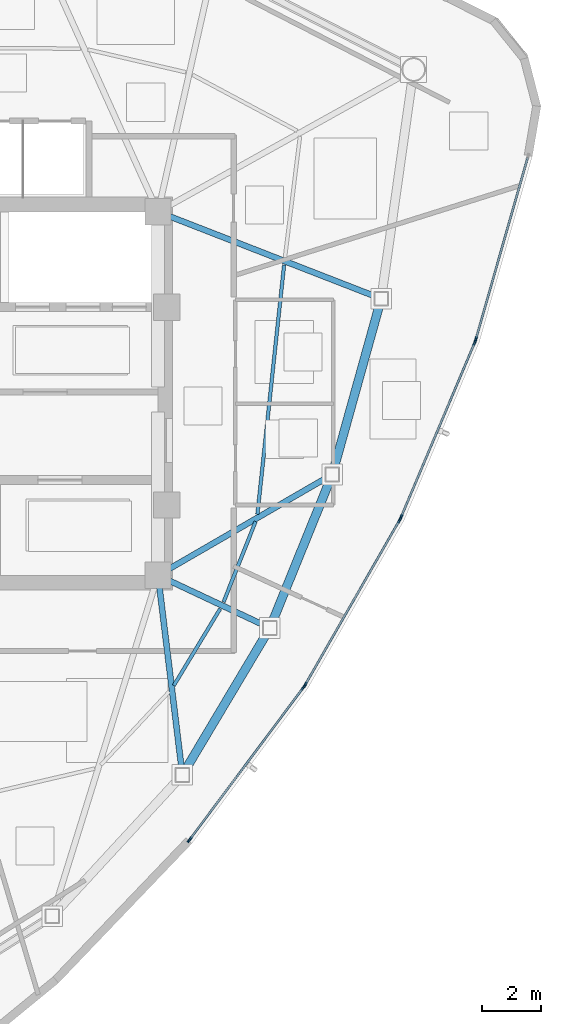
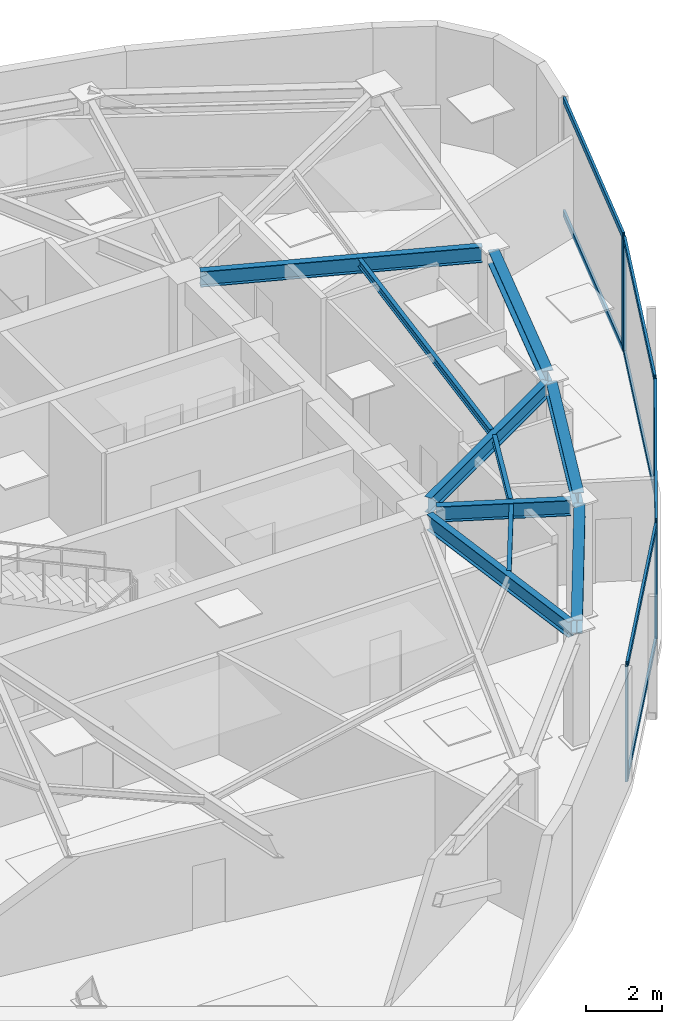
# One storey, part 4 of 12: 15 members, 10 beams, 4 elements without a shape of their own.
"""IFC4 building model written with IfcOpenShell, lengths in metres."""

from ifc_helpers import new_model, si_unit, direction, frame, origin, origin_2d, place, context, subcontext, project, spatial, hollow_rectangle, i_section, extrude, source, transform, mapped, material, layer, layer_set, material_profile, profile_set, type_object, type_shapes, element, aggregate, save


model = new_model("IFC4")

# Units and contexts
model_context = context("Model", 3, precision=1e-05, world=origin(), true_north=direction((0.0, 1.0)))
body_context = subcontext(model_context, "Body", "Model", "MODEL_VIEW")
ifc_project = project(units=[si_unit("LENGTHUNIT", "METRE"), si_unit("AREAUNIT", "SQUARE_METRE"), si_unit("VOLUMEUNIT", "CUBIC_METRE"), si_unit("PLANEANGLEUNIT", "RADIAN"), si_unit("MASSUNIT", "GRAM", prefix="KILO")], contexts=[model_context])

# Site, building, storey
site_placement = place(None, origin())
site = spatial("IfcSite", under=ifc_project, at=site_placement, CompositionType="ELEMENT")
building_placement = place(site_placement, origin())
building = spatial("IfcBuilding", under=site, at=building_placement, Name="Tavelor Broadcast Tower", CompositionType="ELEMENT")
storey_placement = place(building_placement, frame((0.0, 0.0, 281.5)))
storey = spatial("IfcBuildingStorey", under=building, at=storey_placement, Name="L67", CompositionType="ELEMENT", Elevation=281.5)

# Beams
ifc_material_1 = material(Name="Steel S355", Category="steel")
ifc_material_profile_1 = material_profile(ifc_material_1, i_section(OverallWidth=0.1201171875, OverallDepth=0.239990234375, WebThickness=0.006103515625, FlangeThickness=0.009765625, at=origin_2d()), Name="IPE 240")
ifc_profile_set_1 = profile_set([ifc_material_profile_1], Name="Steel S355")
beam_type_1 = type_object("IfcBeamType", Name="Composite Floor Joist T7 IPE 240", PredefinedType="JOIST", material=ifc_profile_set_1)
beam_1_placement = place(storey_placement, frame((57.13916015625, 35.042724609375, 3.580078125), z_axis=(0.517298358592, 0.855805122793, 0.0), x_axis=(-0.855805122793, 0.517298358592, 0.0)))
element("IfcBeam", 1, at=beam_1_placement, inside=storey, type_object=beam_type_1, Name="L67 Secondary Composite Floor Joist 09", PredefinedType="JOIST", context=body_context, shape_type="SweptSolid", body=[
    extrude(i_section(OverallWidth=0.1201171875, OverallDepth=0.239990234375, WebThickness=0.006103515625, FlangeThickness=0.009765625, at=origin_2d()), origin(), (0.0, 0.0, 1.0), 3.058837890625),
])
beam_2_placement = place(storey_placement, frame((58.8359375, 37.890625, 3.580078125), z_axis=(0.370036486067, 0.929017222111, 0.0), x_axis=(-0.929017222111, 0.370036486067, 0.0)))
element("IfcBeam", 2, at=beam_2_placement, inside=storey, type_object=beam_type_1, Name="L67 Secondary Composite Floor Joist 10", PredefinedType="JOIST", context=body_context, shape_type="SweptSolid", body=[
    extrude(i_section(OverallWidth=0.1201171875, OverallDepth=0.239990234375, WebThickness=0.006103515625, FlangeThickness=0.009765625, at=origin_2d()), origin(), (0.0, 0.0, 1.0), 2.953857421875),
])
beam_3_placement = place(storey_placement, frame((59.990478515625, 40.8828125, 3.580078125), z_axis=(0.106517007909, 0.994310880473, 0.0), x_axis=(-0.994310880473, 0.106517007909, 0.0)))
element("IfcBeam", 3, at=beam_3_placement, inside=storey, type_object=beam_type_1, Name="L67 Secondary Composite Floor Joist 11", PredefinedType="JOIST", context=body_context, shape_type="SweptSolid", body=[
    extrude(i_section(OverallWidth=0.1201171875, OverallDepth=0.239990234375, WebThickness=0.006103515625, FlangeThickness=0.009765625, at=origin_2d()), origin(), (0.0, 0.0, 1.0), 8.558349609375),
])
ifc_material_profile_2 = material_profile(ifc_material_1, i_section(OverallWidth=0.300048828125, OverallDepth=0.43994140625, WebThickness=0.011474609375, FlangeThickness=0.02099609375, at=origin_2d()), Name="HEA 450")
ifc_profile_set_2 = profile_set([ifc_material_profile_2], Name="Steel S355")
beam_type_2 = type_object("IfcBeamType", Name="Perimeter Spandrel Beam T7 HEA 450", PredefinedType="SPANDREL", material=ifc_profile_set_2)
beam_4_placement = place(storey_placement, frame((57.55419921875, 32.1982421875, 3.47998046875), z_axis=(0.511838109634, 0.859081922477, 0.0), x_axis=(-0.859081922477, 0.511838109634, 0.0)))
element("IfcBeam", 4, at=beam_4_placement, inside=storey, type_object=beam_type_2, Name="L67 Framed-Tube Ring Spandrel 09", PredefinedType="SPANDREL", context=body_context, shape_type="SweptSolid", body=[
    extrude(i_section(OverallWidth=0.300048828125, OverallDepth=0.43994140625, WebThickness=0.011474609375, FlangeThickness=0.02099609375, at=origin_2d()), origin(), (0.0, 0.0, 1.0), 5.354736328125),
])
beam_5_placement = place(storey_placement, frame((60.5078125, 37.226806640625, 3.47998046875), z_axis=(0.376269405566, 0.926510299152, 0.0), x_axis=(-0.926510299152, 0.376269405566, 0.0)))
element("IfcBeam", 5, at=beam_5_placement, inside=storey, type_object=beam_type_2, Name="L67 Framed-Tube Ring Spandrel 10", PredefinedType="SPANDREL", context=body_context, shape_type="SweptSolid", body=[
    extrude(i_section(OverallWidth=0.300048828125, OverallDepth=0.43994140625, WebThickness=0.011474609375, FlangeThickness=0.02099609375, at=origin_2d()), origin(), (0.0, 0.0, 1.0), 5.17138671875),
])
beam_6_placement = place(storey_placement, frame((62.608154296875, 42.4716796875, 3.47998046875), z_axis=(0.268356099851, 0.963319782664, 0.0), x_axis=(-0.963319782664, 0.268356099851, 0.0)))
element("IfcBeam", 6, at=beam_6_placement, inside=storey, type_object=beam_type_2, Name="L67 Framed-Tube Ring Spandrel 11", PredefinedType="SPANDREL", context=body_context, shape_type="SweptSolid", body=[
    extrude(i_section(OverallWidth=0.300048828125, OverallDepth=0.43994140625, WebThickness=0.011474609375, FlangeThickness=0.02099609375, at=origin_2d()), origin(), (0.0, 0.0, 1.0), 5.7451171875),
])
ifc_material_profile_3 = material_profile(ifc_material_1, i_section(OverallWidth=0.199951171875, OverallDepth=0.5, WebThickness=0.01025390625, FlangeThickness=0.01611328125, at=origin_2d()), Name="IPE 500")
ifc_profile_set_3 = profile_set([ifc_material_profile_3], Name="Steel S355")
beam_type_3 = type_object("IfcBeamType", Name="Radial Floor Girder T7 IPE 500", PredefinedType="BEAM", material=ifc_profile_set_3)
beam_7_placement = place(storey_placement, frame((56.65234375, 38.37109375, 3.449951171875), z_axis=(0.121231727596, -0.992624233144, 0.0), x_axis=(0.992624233144, 0.121231727596, 0.0)))
element("IfcBeam", 7, at=beam_7_placement, inside=storey, type_object=beam_type_3, Name="L67 Radial Primary Floor Girder 09", PredefinedType="BEAM", context=body_context, shape_type="SweptSolid", body=[
    extrude(i_section(OverallWidth=0.199951171875, OverallDepth=0.5, WebThickness=0.01025390625, FlangeThickness=0.01611328125, at=origin_2d()), origin(), (0.0, 0.0, 1.0), 6.1865234375),
])
beam_8_placement = place(storey_placement, frame((56.990966796875, 38.6162109375, 3.449951171875), z_axis=(0.904907602736, -0.425608071483, 0.0), x_axis=(0.425608071483, 0.904907602736, 0.0)))
element("IfcBeam", 8, at=beam_8_placement, inside=storey, type_object=beam_type_3, Name="L67 Radial Primary Floor Girder 10", PredefinedType="BEAM", context=body_context, shape_type="SweptSolid", body=[
    extrude(i_section(OverallWidth=0.199951171875, OverallDepth=0.5, WebThickness=0.01025390625, FlangeThickness=0.01611328125, at=origin_2d()), origin(), (0.0, 0.0, 1.0), 3.546630859375),
])
beam_9_placement = place(storey_placement, frame((56.973876953125, 39.016357421875, 3.449951171875), z_axis=(0.865460455047, 0.500977245741, 0.0), x_axis=(-0.500977245741, 0.865460455047, 0.0)))
element("IfcBeam", 9, at=beam_9_placement, inside=storey, type_object=beam_type_3, Name="L67 Radial Primary Floor Girder 11", PredefinedType="BEAM", context=body_context, shape_type="SweptSolid", body=[
    extrude(i_section(OverallWidth=0.199951171875, OverallDepth=0.5, WebThickness=0.01025390625, FlangeThickness=0.01611328125, at=origin_2d()), origin(), (0.0, 0.0, 1.0), 6.19580078125),
])
beam_10_placement = place(storey_placement, frame((57.002685546875, 51.04345703125, 3.449951171875), z_axis=(0.931940498833, -0.362611233466, 0.0), x_axis=(0.362611233466, 0.931940498833, 0.0)))
element("IfcBeam", 10, at=beam_10_placement, inside=storey, type_object=beam_type_3, Name="L67 Radial Primary Floor Girder 12", PredefinedType="BEAM", context=body_context, shape_type="SweptSolid", body=[
    extrude(i_section(OverallWidth=0.199951171875, OverallDepth=0.5, WebThickness=0.01025390625, FlangeThickness=0.01611328125, at=origin_2d()), origin(), (0.0, 0.0, 1.0), 7.498291015625),
])

# Curtain wall, members
ifc_material_2 = material(Name="Architectural Anodized Aluminium", Category="aluminium")
ifc_layer = layer(ifc_material_2, 0.199951171875)
ifc_layer_set = layer_set([ifc_layer], Name="Architectural Anodized Aluminium")
curtain_wall_type = type_object("IfcCurtainWallType", Name="Tower High-Zone Triple-Glazed Curtain Wall CW04", PredefinedType="NOTDEFINED", material=ifc_layer_set)
curtain_wall_1_placement = place(storey_placement, origin())
curtain_wall_1 = element("IfcCurtainWall", 11, at=curtain_wall_1_placement, inside=storey, type_object=curtain_wall_type, Name="L67 Curtain Wall CW04 Run 737", PredefinedType="NOTDEFINED")
ifc_material_profile_4 = material_profile(ifc_material_2, hollow_rectangle(XDim=0.070068359375, YDim=0.199951171875, WallThickness=0.02197265625, at=origin_2d()), Name="RHS 70x200x22")
ifc_profile_set_4 = profile_set([ifc_material_profile_4], Name="Architectural Anodized Aluminium")
member_type_1 = type_object("IfcMemberType", Name="CW04 Extruded Aluminium Mullion 70x200", PredefinedType="MULLION", material=ifc_profile_set_4)
shared_shape_1 = source(origin(), body_context, "Body", "SweptSolid", [
    extrude(hollow_rectangle(XDim=0.070068359375, YDim=0.199951171875, WallThickness=0.02197265625, at=origin_2d()), origin(), (0.0, 0.0, 1.0), 3.699951171875),
])
type_shapes(member_type_1, [shared_shape_1])
member_1_placement = place(storey_placement, frame((57.673828125, 29.77587890625, 0.0), z_axis=(0.0, 0.0, 1.0), x_axis=(-0.800998443834, 0.598666428803, 0.0)))
member_1 = element("IfcMember", 12, at=member_1_placement, type_object=member_type_1, Name="CW04 mullion 1", PredefinedType="MULLION", context=body_context, shape_type="MappedRepresentation", body=[
    mapped(shared_shape_1, transform((0.0, 0.0, 0.0), scale=1.0)),
])
member_2_placement = place(storey_placement, frame((61.563232421875, 34.97998046875, 0.0), z_axis=(0.0, 0.0, 1.0), x_axis=(-0.800998443834, 0.598666428803, 0.0)))
member_2 = element("IfcMember", 13, at=member_2_placement, type_object=member_type_1, Name="CW04 mullion 2", PredefinedType="MULLION", context=body_context, shape_type="MappedRepresentation", body=[
    mapped(shared_shape_1, transform((0.0, 0.0, 0.0), scale=1.0)),
])

curtain_wall_2_placement = place(storey_placement, origin())
curtain_wall_2 = element("IfcCurtainWall", 14, at=curtain_wall_2_placement, inside=storey, type_object=curtain_wall_type, Name="L67 Curtain Wall CW04 Run 738", PredefinedType="NOTDEFINED")
member_3_placement = place(storey_placement, frame((61.6181640625, 35.063232421875, 0.0), z_axis=(0.0, 0.0, 1.0), x_axis=(-0.867542546214, 0.497362976616, 0.0)))
member_3 = element("IfcMember", 15, at=member_3_placement, type_object=member_type_1, Name="CW04 mullion 1", PredefinedType="MULLION", context=body_context, shape_type="MappedRepresentation", body=[
    mapped(shared_shape_1, transform((0.0, 0.0, 0.0), scale=1.0)),
])
member_4_placement = place(storey_placement, frame((64.842041015625, 40.6865234375, 0.0), z_axis=(0.0, 0.0, 1.0), x_axis=(-0.867542546214, 0.497362976616, 0.0)))
member_4 = element("IfcMember", 16, at=member_4_placement, type_object=member_type_1, Name="CW04 mullion 2", PredefinedType="MULLION", context=body_context, shape_type="MappedRepresentation", body=[
    mapped(shared_shape_1, transform((0.0, 0.0, 0.0), scale=1.0)),
])

curtain_wall_3_placement = place(storey_placement, origin())
curtain_wall_3 = element("IfcCurtainWall", 17, at=curtain_wall_3_placement, inside=storey, type_object=curtain_wall_type, Name="L67 Curtain Wall CW04 Run 739", PredefinedType="NOTDEFINED")
member_5_placement = place(storey_placement, frame((64.88623046875, 40.776123046875, 0.0), z_axis=(0.0, 0.0, 1.0), x_axis=(-0.921355022147, 0.38872216706, 0.0)))
member_5 = element("IfcMember", 18, at=member_5_placement, type_object=member_type_1, Name="CW04 mullion 1", PredefinedType="MULLION", context=body_context, shape_type="MappedRepresentation", body=[
    mapped(shared_shape_1, transform((0.0, 0.0, 0.0), scale=1.0)),
])
member_6_placement = place(storey_placement, frame((67.406005859375, 46.748291015625, 0.0), z_axis=(0.0, 0.0, 1.0), x_axis=(-0.921355022147, 0.38872216706, 0.0)))
member_6 = element("IfcMember", 19, at=member_6_placement, type_object=member_type_1, Name="CW04 mullion 2", PredefinedType="MULLION", context=body_context, shape_type="MappedRepresentation", body=[
    mapped(shared_shape_1, transform((0.0, 0.0, 0.0), scale=1.0)),
])

# Curtain wall, member
curtain_wall_4_placement = place(storey_placement, origin())
curtain_wall_4 = element("IfcCurtainWall", 20, at=curtain_wall_4_placement, inside=storey, type_object=curtain_wall_type, Name="L67 Curtain Wall CW04 Run 740", PredefinedType="NOTDEFINED")
member_7_placement = place(storey_placement, frame((67.43896484375, 46.842529296875, 0.0), z_axis=(0.0, 0.0, 1.0), x_axis=(-0.96163016721, 0.274349086952, 0.0)))
member_7 = element("IfcMember", 21, at=member_7_placement, type_object=member_type_1, Name="CW04 mullion 1", PredefinedType="MULLION", context=body_context, shape_type="MappedRepresentation", body=[
    mapped(shared_shape_1, transform((0.0, 0.0, 0.0), scale=1.0)),
])

# Member
ifc_material_profile_5 = material_profile(ifc_material_2, hollow_rectangle(XDim=0.070068359375, YDim=0.199951171875, WallThickness=0.02197265625, at=origin_2d()), Name="RHS 70x200x22")
ifc_profile_set_5 = profile_set([ifc_material_profile_5], Name="Architectural Anodized Aluminium")
member_type_2 = type_object("IfcMemberType", Name="CW04 Extruded Aluminium Transom 70x200", PredefinedType="USERDEFINED", material=ifc_profile_set_5)
shared_shape_2 = source(origin(), body_context, "Body", "SweptSolid", [
    extrude(hollow_rectangle(XDim=0.070068359375, YDim=0.199951171875, WallThickness=0.02197265625, at=origin_2d()), origin(), (0.0, 0.0, 1.0), 6.427001953125),
])
member_8_placement = place(storey_placement, frame((57.69482421875, 29.803955078125, 0.034912109375), z_axis=(0.598674192562, 0.80099264114, 0.0), x_axis=(-0.80099264114, 0.598674192562, 0.0)))
member_8 = element("IfcMember", 22, at=member_8_placement, type_object=member_type_2, Name="CW04 transom 1.1", ObjectType="TRANSOM", PredefinedType="USERDEFINED", context=body_context, shape_type="MappedRepresentation", body=[
    mapped(shared_shape_2, transform((0.0, 0.0, 0.0), scale=1.0)),
])

member_9_placement = place(storey_placement, frame((57.69482421875, 29.803955078125, 3.6650390625), z_axis=(0.598674192562, 0.80099264114, 0.0), x_axis=(-0.80099264114, 0.598674192562, 0.0)))
member_9 = element("IfcMember", 23, at=member_9_placement, type_object=member_type_2, Name="CW04 transom 1.2", ObjectType="TRANSOM", PredefinedType="USERDEFINED", context=body_context, shape_type="MappedRepresentation", body=[
    mapped(shared_shape_2, transform((0.0, 0.0, 0.0), scale=1.0)),
])

aggregate(curtain_wall_1, [member_1, member_2, member_8, member_9])

shared_shape_3 = source(origin(), body_context, "Body", "SweptSolid", [
    extrude(hollow_rectangle(XDim=0.070068359375, YDim=0.199951171875, WallThickness=0.02197265625, at=origin_2d()), origin(), (0.0, 0.0, 1.0), 6.411865234375),
])
member_10_placement = place(storey_placement, frame((61.635498046875, 35.09375, 0.034912109375), z_axis=(0.497360422458, 0.86754401051, 0.0), x_axis=(-0.86754401051, 0.497360422458, 0.0)))
member_10 = element("IfcMember", 24, at=member_10_placement, type_object=member_type_2, Name="CW04 transom 1.1", ObjectType="TRANSOM", PredefinedType="USERDEFINED", context=body_context, shape_type="MappedRepresentation", body=[
    mapped(shared_shape_3, transform((0.0, 0.0, 0.0), scale=1.0)),
])

member_11_placement = place(storey_placement, frame((61.635498046875, 35.09375, 3.6650390625), z_axis=(0.497360422458, 0.86754401051, 0.0), x_axis=(-0.86754401051, 0.497360422458, 0.0)))
member_11 = element("IfcMember", 25, at=member_11_placement, type_object=member_type_2, Name="CW04 transom 1.2", ObjectType="TRANSOM", PredefinedType="USERDEFINED", context=body_context, shape_type="MappedRepresentation", body=[
    mapped(shared_shape_3, transform((0.0, 0.0, 0.0), scale=1.0)),
])

aggregate(curtain_wall_2, [member_3, member_4, member_10, member_11])

member_12_placement = place(storey_placement, frame((64.89990234375, 40.808349609375, 0.034912109375), z_axis=(0.388715656751, 0.921357768837, 0.0), x_axis=(-0.921357768837, 0.388715656751, 0.0)))
member_12 = element("IfcMember", 26, at=member_12_placement, type_object=member_type_2, Name="CW04 transom 1.1", ObjectType="TRANSOM", PredefinedType="USERDEFINED", context=body_context, shape_type="MappedRepresentation", body=[
    mapped(shared_shape_3, transform((0.0, 0.0, 0.0), scale=1.0)),
])

member_13_placement = place(storey_placement, frame((64.89990234375, 40.808349609375, 3.6650390625), z_axis=(0.388715656751, 0.921357768837, 0.0), x_axis=(-0.921357768837, 0.388715656751, 0.0)))
member_13 = element("IfcMember", 27, at=member_13_placement, type_object=member_type_2, Name="CW04 transom 1.2", ObjectType="TRANSOM", PredefinedType="USERDEFINED", context=body_context, shape_type="MappedRepresentation", body=[
    mapped(shared_shape_3, transform((0.0, 0.0, 0.0), scale=1.0)),
])

aggregate(curtain_wall_3, [member_5, member_6, member_12, member_13])

shared_shape_4 = source(origin(), body_context, "Body", "SweptSolid", [
    extrude(hollow_rectangle(XDim=0.070068359375, YDim=0.199951171875, WallThickness=0.02197265625, at=origin_2d()), origin(), (0.0, 0.0, 1.0), 6.427734375),
])
type_shapes(member_type_2, [shared_shape_2, shared_shape_3, shared_shape_4])
member_14_placement = place(storey_placement, frame((67.448486328125, 46.876220703125, 0.034912109375), z_axis=(0.274379991708, 0.961621349675, 0.0), x_axis=(-0.961621349675, 0.274379991708, 0.0)))
member_14 = element("IfcMember", 28, at=member_14_placement, type_object=member_type_2, Name="CW04 transom 1.1", ObjectType="TRANSOM", PredefinedType="USERDEFINED", context=body_context, shape_type="MappedRepresentation", body=[
    mapped(shared_shape_4, transform((0.0, 0.0, 0.0), scale=1.0)),
])

member_15_placement = place(storey_placement, frame((67.448486328125, 46.876220703125, 3.6650390625), z_axis=(0.274379991708, 0.961621349675, 0.0), x_axis=(-0.961621349675, 0.274379991708, 0.0)))
member_15 = element("IfcMember", 29, at=member_15_placement, type_object=member_type_2, Name="CW04 transom 1.2", ObjectType="TRANSOM", PredefinedType="USERDEFINED", context=body_context, shape_type="MappedRepresentation", body=[
    mapped(shared_shape_4, transform((0.0, 0.0, 0.0), scale=1.0)),
])

aggregate(curtain_wall_4, [member_7, member_14, member_15])

save(model, "model.ifc")
